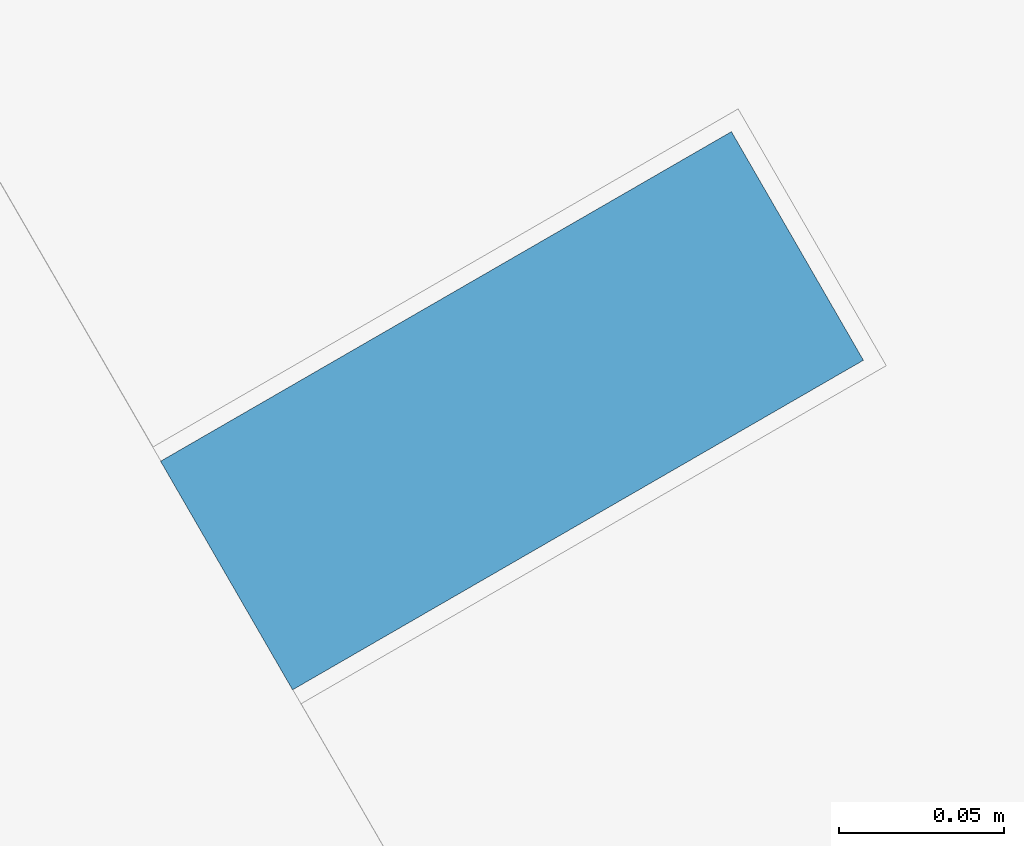
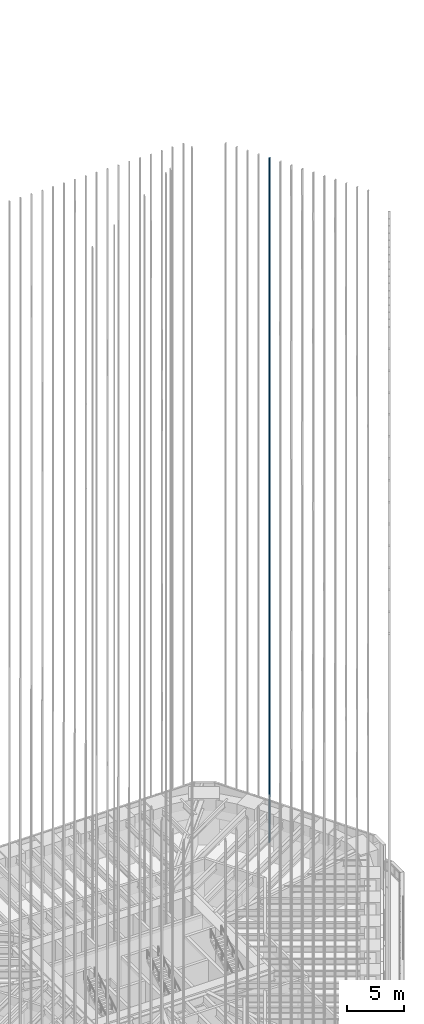
# One storey, part 194 of 228: 1 member, 1 element without a shape of its own.
"""IFC4 building model written with IfcOpenShell, lengths in metres."""

import ifcopenshell
import ifcopenshell.guid

model = None  # the IFC model being written
_history = None  # IfcOwnerHistory: only IFC2X3 demands one
_inside = {}  # id of a spatial element -> (the spatial element, [elements in it])
_under = {}  # id of a project, library or spatial element -> (it, [spatial elements below it])
_declared = {}  # id of a project -> (the project, [libraries it declares])
_typed = {}  # id of a type object -> (the type object, [elements of that type])
_made_of = {}  # id of a material, layer set ... -> (it, [elements and type objects made of it])


def new_model(schema):
    """Start an empty IFC model of exactly this schema.

    Asked for "IFC4X3", IfcOpenShell would pick the latest addendum, in which some entities
    have other attributes; the version numbers below select the first issue.
    IFC2X3 requires an IfcOwnerHistory on every rooted entity: one is made here for all.
    """
    global model, _history
    if schema == "IFC4X3":
        model = ifcopenshell.file(schema_version=(4, 3, 0, 0))
    else:
        model = ifcopenshell.file(schema=schema)
    _inside.clear()
    _under.clear()
    _declared.clear()
    _typed.clear()
    _made_of.clear()
    _history = None
    if model.schema == "IFC2X3":
        org = make("IfcOrganization", Name="unknown")
        user = make(
            "IfcPersonAndOrganization",
            ThePerson=make("IfcPerson", FamilyName="unknown"),
            TheOrganization=org,
        )
        app = make(
            "IfcApplication",
            ApplicationDeveloper=org,
            Version="unknown",
            ApplicationFullName="unknown",
            ApplicationIdentifier="unknown",
        )
        _history = make(
            "IfcOwnerHistory",
            OwningUser=user,
            OwningApplication=app,
            ChangeAction="ADDED",
            CreationDate=0,
        )
    return model


def make(cls, **values):
    """One entity of the class cls with the attributes given. An attribute that is None is left unset."""
    return model.create_entity(
        cls, **{name: value for name, value in values.items() if value is not None}
    )


def rooted(cls, **values):
    """An entity with a GlobalId (a new one), such as an element, a storey or a relation."""
    return make(cls, GlobalId=ifcopenshell.guid.new(), OwnerHistory=_history, **values)


def si_unit(unit_type, name, prefix=None):
    """IfcSIUnit, for example si_unit("LENGTHUNIT", "METRE", prefix="MILLI")."""
    return make("IfcSIUnit", UnitType=unit_type, Prefix=prefix, Name=name)


def assignment(units):
    """IfcUnitAssignment: the units of a project."""
    return None if units is None else make("IfcUnitAssignment", Units=units)


def point(xyz):
    """IfcCartesianPoint."""
    return None if xyz is None else make("IfcCartesianPoint", Coordinates=xyz)


def direction(xyz):
    """IfcDirection."""
    return None if xyz is None else make("IfcDirection", DirectionRatios=xyz)


def frame(location, z_axis=None, x_axis=None):
    """IfcAxis2Placement3D, a coordinate frame: its origin and axes. An axis left out is left unset."""
    return make(
        "IfcAxis2Placement3D",
        Location=point(location),
        Axis=direction(z_axis),
        RefDirection=direction(x_axis),
    )


def frame_2d(location, x_axis=None):
    """IfcAxis2Placement2D, a coordinate frame in the plane: its origin and x axis."""
    return make(
        "IfcAxis2Placement2D", Location=point(location), RefDirection=direction(x_axis)
    )


def origin():
    """The frame at (0, 0, 0) with its axes left unset."""
    return frame((0.0, 0.0, 0.0))


def origin_2d():
    """The frame at (0, 0) in the plane with its x axis left unset."""
    return frame_2d((0.0, 0.0))


def place(relative_to, where):
    """IfcLocalPlacement: puts the frame where relative to a parent placement (None: the world)."""
    return make(
        "IfcLocalPlacement", PlacementRelTo=relative_to, RelativePlacement=where
    )


def context(
    kind, dimensions, precision=None, world=None, true_north=None, identifier=None
):
    """IfcGeometricRepresentationContext, for example the 3D "Model" context."""
    return make(
        "IfcGeometricRepresentationContext",
        ContextIdentifier=identifier,
        ContextType=kind,
        CoordinateSpaceDimension=dimensions,
        Precision=precision,
        WorldCoordinateSystem=world,
        TrueNorth=true_north,
    )


def subcontext(parent, identifier, kind, view, scale=None):
    """IfcGeometricRepresentationSubContext, for example "Body" below "Model"."""
    return make(
        "IfcGeometricRepresentationSubContext",
        ContextIdentifier=identifier,
        ContextType=kind,
        ParentContext=parent,
        TargetScale=scale,
        TargetView=view,
    )


def project(units=None, contexts=None):
    """IfcProject with its units and contexts."""
    return rooted(
        "IfcProject",
        Name="project",
        RepresentationContexts=contexts,
        UnitsInContext=assignment(units),
    )


def spatial(cls, under=None, at=None, **own):
    """A site, building, storey or space (cls), placed at a placement, below another one or the project."""
    s = rooted(cls, ObjectPlacement=at, **own)
    if under is not None:
        _under.setdefault(under.id(), (under, []))[1].append(s)
    return s


def profile(cls, at=None, kind="AREA", **sizes):
    """A parametric profile (cls). Its sizes go by their IFC names, for example OverallWidth=200.0."""
    return make(cls, ProfileType=kind, Position=at, **sizes)


def rectangle(**sizes):
    """IfcRectangleProfileDef."""
    return profile("IfcRectangleProfileDef", **sizes)


def extrude(swept, where, along, depth):
    """IfcExtrudedAreaSolid: the profile swept, set in the frame where, extruded along a direction by depth."""
    return make(
        "IfcExtrudedAreaSolid",
        SweptArea=swept,
        Position=where,
        ExtrudedDirection=direction(along),
        Depth=depth,
    )


def shape(context_of_items, identifier, shape_type, items):
    """IfcShapeRepresentation: the items that make up one representation, for example the "Body"."""
    return make(
        "IfcShapeRepresentation",
        ContextOfItems=context_of_items,
        RepresentationIdentifier=identifier,
        RepresentationType=shape_type,
        Items=items,
    )


def material(Name=None, Category=None):
    """IfcMaterial."""
    return make("IfcMaterial", Name=Name, Category=Category)


def material_profile(
    of_material, cross_section, Name=None, Category=None, Priority=None
):
    """IfcMaterialProfile: a cross section and its material."""
    return make(
        "IfcMaterialProfile",
        Name=Name,
        Material=of_material,
        Profile=cross_section,
        Priority=Priority,
        Category=Category,
    )


def profile_set(profiles, Name=None, composite=None):
    """IfcMaterialProfileSet."""
    return make(
        "IfcMaterialProfileSet",
        Name=Name,
        MaterialProfiles=profiles,
        CompositeProfile=composite,
    )


def made_of(thing, what):
    """Note that an element or type object is made of a material, layer set ...; save() writes the relation."""
    if what is not None:
        _made_of.setdefault(what.id(), (what, []))[1].append(thing)
    return thing


def type_object(cls, material=None, **own):
    """A type object (cls), such as IfcWallType, which elements share."""
    return made_of(rooted(cls, **own), material)


def element(
    cls,
    number,
    at=None,
    inside=None,
    cuts=None,
    type_object=None,
    material=None,
    context=None,
    identifier="Body",
    shape_type=None,
    held_by="IfcProductDefinitionShape",
    body=None,
    shapes=None,
    **own,
):
    """One element of the class cls, such as IfcWall. Its Tag is "e" and its number.

    at: its placement. inside: the storey or other place that contains it. cuts: it is an
    opening in that element (IfcRelVoidsElement). A single representation is given by context,
    identifier, shape_type and body (its items); several are given by shapes. held_by: the class
    of the entity that holds the representations. save() writes the other relations.
    """
    e = rooted(cls, Tag="e%d" % number, ObjectPlacement=at, **own)
    if body is not None:
        shapes = [shape(context, identifier, shape_type, body)]
    if shapes is not None:
        e.Representation = make(held_by, Representations=shapes)
    if inside is not None:
        _inside.setdefault(inside.id(), (inside, []))[1].append(e)
    if cuts is not None:
        rooted(
            "IfcRelVoidsElement", RelatingBuildingElement=cuts, RelatedOpeningElement=e
        )
    if type_object is not None:
        _typed.setdefault(type_object.id(), (type_object, []))[1].append(e)
    return made_of(e, material)


def aggregate(whole, parts):
    """IfcRelAggregates: a whole, such as a stair, and the parts it consists of."""
    return rooted("IfcRelAggregates", RelatingObject=whole, RelatedObjects=parts)


def save(model, path):
    """Write the relations noted so far, then the file.

    IfcRelAggregates (storeys below a building ...), IfcRelContainedInSpatialStructure (elements
    in a storey), IfcRelDefinesByType, IfcRelAssociatesMaterial and IfcRelDeclares: one each for
    every whole, place, type object, material and project.
    """
    for whole, parts in _under.values():
        aggregate(whole, parts)
    for where, things in _inside.values():
        rooted(
            "IfcRelContainedInSpatialStructure",
            RelatedElements=things,
            RelatingStructure=where,
        )
    for kind, things in _typed.values():
        rooted("IfcRelDefinesByType", RelatedObjects=things, RelatingType=kind)
    for what, things in _made_of.values():
        rooted("IfcRelAssociatesMaterial", RelatedObjects=things, RelatingMaterial=what)
    for by, libraries in _declared.values():
        rooted("IfcRelDeclares", RelatingContext=by, RelatedDefinitions=libraries)
    model.write(path)


model = new_model("IFC4")

# Units and contexts
model_context = context("Model", 3, precision=1e-05, world=origin(), true_north=direction((0.0, 1.0)))
body_context = subcontext(model_context, "Body", "Model", "MODEL_VIEW")
ifc_project = project(units=[si_unit("LENGTHUNIT", "METRE"), si_unit("AREAUNIT", "SQUARE_METRE"), si_unit("VOLUMEUNIT", "CUBIC_METRE"), si_unit("PLANEANGLEUNIT", "RADIAN"), si_unit("MASSUNIT", "GRAM", prefix="KILO")], contexts=[model_context])

# Site, building, storey
site_placement = place(None, origin())
site = spatial("IfcSite", under=ifc_project, at=site_placement, CompositionType="ELEMENT")
building_placement = place(site_placement, origin())
building = spatial("IfcBuilding", under=site, at=building_placement, Name="Sandreach Pilgrim Tower", CompositionType="ELEMENT")
storey_placement = place(building_placement, frame((0.0, 0.0, 178.199951171875)))
storey = spatial("IfcBuildingStorey", under=building, at=storey_placement, Name="L44", CompositionType="ELEMENT", Elevation=178.199951171875)

# Curtain wall, member
ifc_material_1 = material(Name="Aluminium framed curtain wall", Category="aluminium")
curtain_wall_type = type_object("IfcCurtainWallType", Name="Upper hotel tower curtain wall", PredefinedType="NOTDEFINED", material=ifc_material_1)
curtain_wall_placement = place(storey_placement, origin())
curtain_wall = element("IfcCurtainWall", 1, at=curtain_wall_placement, inside=storey, type_object=curtain_wall_type, Name="CW-3 L44 NE", PredefinedType="NOTDEFINED")
ifc_material_2 = material(Name="Extruded terracotta on aluminium core", Category="masonry")
ifc_material_profile = material_profile(ifc_material_2, rectangle(XDim=0.080078125, YDim=0.199951171875, at=origin_2d()), Name="TBE 80X200")
ifc_profile_set = profile_set([ifc_material_profile], Name="Extruded terracotta on aluminium core")
member_type = type_object("IfcMemberType", Name="Terracotta baguette east", PredefinedType="USERDEFINED", material=ifc_profile_set)
member_placement = place(storey_placement, frame((21.9296875, 15.86669921875, 0.0), z_axis=(0.0, 0.0, 1.0), x_axis=(0.5, -0.866025403784, 0.0)))
member = element("IfcMember", 2, at=member_placement, type_object=member_type, Name="Baguette Z3 NE05", ObjectType="BAGUETTE", PredefinedType="USERDEFINED", context=body_context, shape_type="SweptSolid", body=[
    extrude(rectangle(XDim=0.080078125, YDim=0.199951171875, at=origin_2d()), origin(), (0.0, 0.0, 1.0), 73.239990234375),
])
aggregate(curtain_wall, [member])

save(model, "model.ifc")
